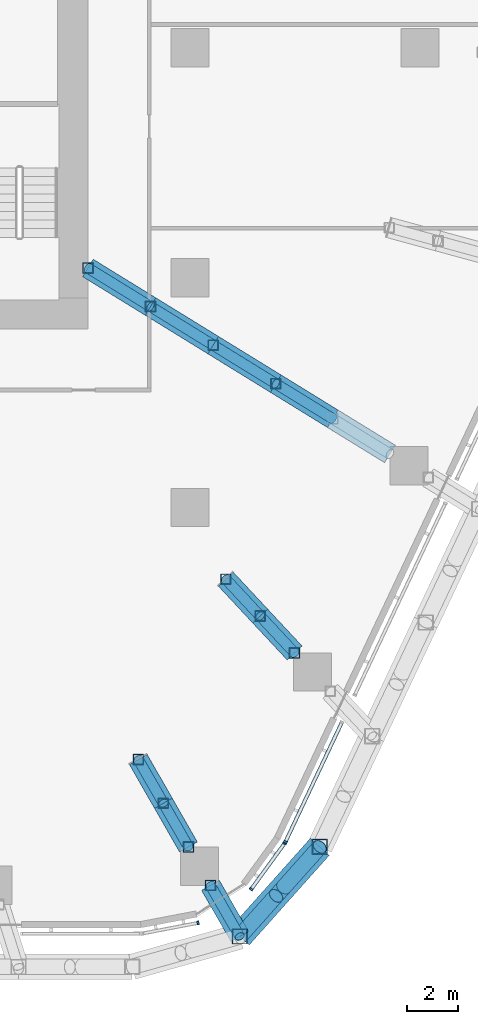
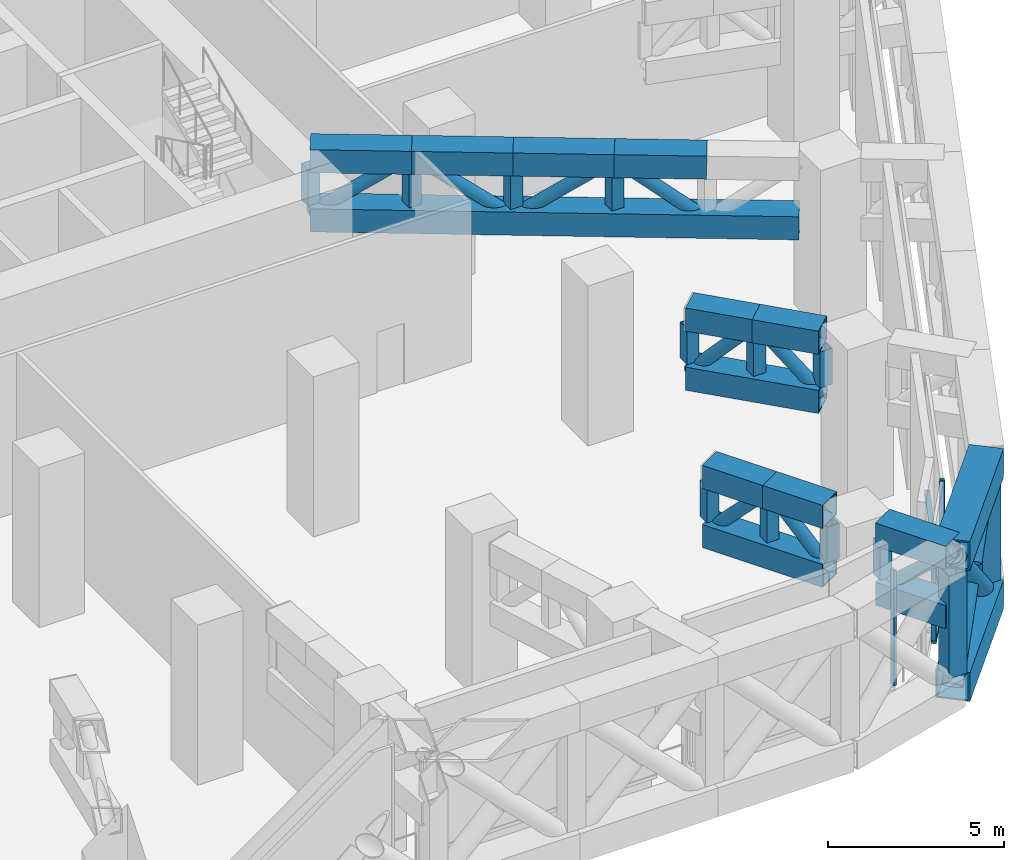
# One storey, part 6 of 38: 46 members, 2 elements without a shape of their own.
"""IFC4 building model written with IfcOpenShell, lengths in metres."""

from ifc_helpers import new_model, si_unit, direction, frame, origin, origin_2d, place, context, subcontext, project, spatial, rectangle, hollow_rectangle, hollow_circle, extrude, material, layer, layer_set, material_profile, profile_set, type_object, element, aggregate, save


model = new_model("IFC4")

# Units and contexts
model_context = context("Model", 3, precision=1e-05, world=origin(), true_north=direction((0.0, 1.0)))
body_context = subcontext(model_context, "Body", "Model", "MODEL_VIEW")
ifc_project = project(units=[si_unit("LENGTHUNIT", "METRE"), si_unit("AREAUNIT", "SQUARE_METRE"), si_unit("VOLUMEUNIT", "CUBIC_METRE"), si_unit("PLANEANGLEUNIT", "RADIAN"), si_unit("MASSUNIT", "GRAM", prefix="KILO")], contexts=[model_context])

# Site, building, storey
site_placement = place(None, origin())
site = spatial("IfcSite", under=ifc_project, at=site_placement, CompositionType="ELEMENT")
building_placement = place(site_placement, origin())
building = spatial("IfcBuilding", under=site, at=building_placement, Name="Dongbaek Canopy Tower", CompositionType="ELEMENT")
storey_placement = place(building_placement, frame((0.0, 0.0, 89.199951171875)))
storey = spatial("IfcBuildingStorey", under=building, at=storey_placement, Name="L18", CompositionType="ELEMENT", Elevation=89.199951171875)

# Members
ifc_material_1 = material(Name="Steel S355", Category="steel")
ifc_material_profile_1 = material_profile(ifc_material_1, hollow_circle(Radius=0.304931640625, WallThickness=0.01611328125, at=origin_2d()), Name="BELT BRACE CHS 610.0x16.0 Steel S355")
ifc_profile_set_1 = profile_set([ifc_material_profile_1], Name="Steel S355")
member_type_1 = type_object("IfcMemberType", Name="BELT BRACE CHS 610.0x16.0 Steel S355", PredefinedType="BRACE", material=ifc_profile_set_1)
member_1_placement = place(storey_placement, frame((23.0810546875, -31.28466796875, 0.5), z_axis=(-0.478816961431, -0.536394328132, 0.694993123846), x_axis=(0.746011275188, -0.665933312946, 0.0)))
element("IfcMember", 1, at=member_1_placement, inside=storey, type_object=member_type_1, Name="BELT:L18:25:D1:0", PredefinedType="BRACE", context=body_context, shape_type="SweptSolid", body=[
    extrude(hollow_circle(Radius=0.304931640625, WallThickness=0.01611328125, at=origin_2d()), origin(), (0.0, 0.0, 1.0), 6.546875),
])
member_2_placement = place(storey_placement, frame((19.9462890625, -34.79638671875, 0.5), z_axis=(0.478832980884, 0.536404792395, 0.694974010387), x_axis=(-0.74600666092, 0.665938482041, 0.0)))
element("IfcMember", 2, at=member_2_placement, inside=storey, type_object=member_type_1, Name="BELT:L18:25:D1:1", PredefinedType="BRACE", context=body_context, shape_type="SweptSolid", body=[
    extrude(hollow_circle(Radius=0.304931640625, WallThickness=0.01611328125, at=origin_2d()), origin(), (0.0, 0.0, 1.0), 2.968505859375),
])
member_3_placement = place(storey_placement, frame((23.0810546875, -31.28466796875, 5.050048828125), z_axis=(-0.478790712263, -0.536367331157, -0.695032042368), x_axis=(0.746012760836, -0.665931648647, 0.0)))
element("IfcMember", 3, at=member_3_placement, inside=storey, type_object=member_type_1, Name="BELT:L18:25:D1:2", PredefinedType="BRACE", context=body_context, shape_type="SweptSolid", body=[
    extrude(hollow_circle(Radius=0.304931640625, WallThickness=0.01611328125, at=origin_2d()), origin(), (0.0, 0.0, 1.0), 2.96826171875),
])
ifc_material_2 = material(Name="Steel S355", Category="steel")
ifc_material_profile_2 = material_profile(ifc_material_2, hollow_rectangle(XDim=1.0, YDim=1.0, WallThickness=0.050048828125, at=origin_2d()), Name="BELT CHORD BOX 1000x1000x50 Steel S355")
ifc_profile_set_2 = profile_set([ifc_material_profile_2], Name="Steel S355")
member_type_2 = type_object("IfcMemberType", Name="BELT CHORD BOX 1000x1000x50 Steel S355", PredefinedType="CHORD", material=ifc_profile_set_2)
for number, where, z_axis, x_axis, name in (
    (4, (23.0810546875, -31.28466796875, 0.5), (-0.665933312946, -0.746011275188, 0.0), (0.746011275188, -0.665933312946, 0.0), "BELT:L18:25:CB1"),
    (5, (23.0810546875, -31.28466796875, 5.050048828125), (-0.665933312946, -0.746011275188, 0.0), (0.746011275188, -0.665933312946, 0.0), "BELT:L18:25:CT1"),
):
    element("IfcMember", number, at=place(storey_placement, frame(where, z_axis=z_axis, x_axis=x_axis)), inside=storey, type_object=member_type_2, Name=name, PredefinedType="CHORD", context=body_context, shape_type="SweptSolid", body=[
        extrude(hollow_rectangle(XDim=1.0, YDim=1.0, WallThickness=0.050048828125, at=origin_2d()), origin(), (0.0, 0.0, 1.0), 4.707275390625),
    ])
ifc_material_3 = material(Name="Steel S355", Category="steel")
ifc_material_profile_3 = material_profile(ifc_material_3, hollow_rectangle(XDim=0.60009765625, YDim=0.60009765625, WallThickness=0.031982421875, at=origin_2d()), Name="BELT POST BOX 600x600x32 Steel S355")
ifc_profile_set_3 = profile_set([ifc_material_profile_3], Name="Steel S355")
member_type_3 = type_object("IfcMemberType", Name="BELT POST BOX 600x600x32 Steel S355", PredefinedType="POST", material=ifc_profile_set_3)
for number, where, z_axis, x_axis, name in (
    (6, (23.0810546875, -31.28466796875, 1.0), (0.0, 0.0, 1.0), (1.0, 0.0, 0.0), "BELT:L18:25:P1"),
    (7, (19.9462890625, -34.79638671875, 1.0), (0.0, 0.0, 1.0), (1.0, 0.0, 0.0), "BELT:L18:0:P0"),
):
    element("IfcMember", number, at=place(storey_placement, frame(where, z_axis=z_axis, x_axis=x_axis)), inside=storey, type_object=member_type_3, Name=name, PredefinedType="POST", context=body_context, shape_type="SweptSolid", body=[
        extrude(hollow_rectangle(XDim=0.60009765625, YDim=0.60009765625, WallThickness=0.031982421875, at=origin_2d()), origin(), (0.0, 0.0, 1.0), 3.550048828125),
    ])
ifc_material_4 = material(Name="Steel S355", Category="steel")
ifc_material_profile_4 = material_profile(ifc_material_4, hollow_circle(Radius=0.203125, WallThickness=0.0126953125, at=origin_2d()), Name="BRACE CHS 406.4x12.7 Steel S355")
ifc_profile_set_4 = profile_set([ifc_material_profile_4], Name="Steel S355")
member_type_4 = type_object("IfcMemberType", Name="BRACE CHS 406.4x12.7 Steel S355", PredefinedType="BRACE", material=ifc_profile_set_4)
for number, where, z_axis, x_axis, name in (
    (8, (15.9736328125, -27.8662109375, 3.10009765625), (0.3450373247, -0.601907020817, 0.720178577059), (0.867565276348, 0.497323326695, 0.0), "TRUSS:L18:0:D0"),
    (9, (16.955810546875, -29.57958984375, 5.150146484375), (0.3450373247, -0.601907020817, -0.720178577059), (0.867565276348, 0.497323326695, 0.0), "TRUSS:L18:0:D1"),
    (10, (19.39892578125, -20.80419921875, 3.10009765625), (0.473172875213, -0.507393643241, 0.720179922632), (0.731338856852, 0.682014278779, 0.0), "TRUSS:L18:25:D0"),
    (11, (20.745849609375, -22.24853515625, 5.150146484375), (0.473152283614, -0.507457325021, -0.720148581748), (0.731396350323, 0.68195262206, 0.0), "TRUSS:L18:25:D1"),
):
    element("IfcMember", number, at=place(storey_placement, frame(where, z_axis=z_axis, x_axis=x_axis)), inside=storey, type_object=member_type_4, Name=name, PredefinedType="BRACE", context=body_context, shape_type="SweptSolid", body=[
        extrude(hollow_circle(Radius=0.203125, WallThickness=0.0126953125, at=origin_2d()), origin(), (0.0, 0.0, 1.0), 2.8466796875),
    ])
member_4_placement = place(storey_placement, frame((18.7978515625, -32.79296875, 3.10009765625), z_axis=(0.371912141317, -0.648790610469, 0.663891634914), x_axis=(0.867565705333, 0.497322578343, 0.0)))
element("IfcMember", 12, at=member_4_placement, inside=storey, type_object=member_type_4, Name="TRUSS:L18:0x:D0", PredefinedType="BRACE", context=body_context, shape_type="SweptSolid", body=[
    extrude(hollow_circle(Radius=0.203125, WallThickness=0.0126953125, at=origin_2d()), origin(), (0.0, 0.0, 1.0), 3.087890625),
])
ifc_material_5 = material(Name="Steel S355", Category="steel")
ifc_material_profile_5 = material_profile(ifc_material_5, hollow_rectangle(XDim=0.800048828125, YDim=0.800048828125, WallThickness=0.0400390625, at=origin_2d()), Name="CHORD BOX 800x800x40 Steel S355")
ifc_profile_set_5 = profile_set([ifc_material_profile_5], Name="Steel S355")
member_type_5 = type_object("IfcMemberType", Name="CHORD BOX 800x800x40 Steel S355", PredefinedType="CHORD", material=ifc_profile_set_5)
member_5_placement = place(storey_placement, frame((15.9736328125, -27.8662109375, 3.10009765625), z_axis=(0.497323326695, -0.867565276348, 0.0), x_axis=(0.867565276348, 0.497323326695, 0.0)))
element("IfcMember", 13, at=member_5_placement, inside=storey, type_object=member_type_5, Name="TRUSS:L18:0:CB", PredefinedType="CHORD", context=body_context, shape_type="SweptSolid", body=[
    extrude(hollow_rectangle(XDim=0.800048828125, YDim=0.800048828125, WallThickness=0.0400390625, at=origin_2d()), origin(), (0.0, 0.0, 1.0), 3.949951171875),
])
for number, where, z_axis, x_axis, name in (
    (14, (15.9736328125, -27.8662109375, 5.150146484375), (0.497323326695, -0.867565276348, 0.0), (0.867565276348, 0.497323326695, 0.0), "TRUSS:L18:0:CT0"),
    (15, (16.955810546875, -29.57958984375, 5.150146484375), (0.497323326695, -0.867565276348, 0.0), (0.867565276348, 0.497323326695, 0.0), "TRUSS:L18:0:CT1"),
):
    element("IfcMember", number, at=place(storey_placement, frame(where, z_axis=z_axis, x_axis=x_axis)), inside=storey, type_object=member_type_5, Name=name, PredefinedType="CHORD", context=body_context, shape_type="SweptSolid", body=[
        extrude(hollow_rectangle(XDim=0.800048828125, YDim=0.800048828125, WallThickness=0.0400390625, at=origin_2d()), origin(), (0.0, 0.0, 1.0), 1.974853515625),
    ])
member_6_placement = place(storey_placement, frame((19.39892578125, -20.80419921875, 3.10009765625), z_axis=(0.681983449632, -0.731367605537, 0.0), x_axis=(0.731367605537, 0.681983449632, 0.0)))
element("IfcMember", 16, at=member_6_placement, inside=storey, type_object=member_type_5, Name="TRUSS:L18:25:CB", PredefinedType="CHORD", context=body_context, shape_type="SweptSolid", body=[
    extrude(hollow_rectangle(XDim=0.800048828125, YDim=0.800048828125, WallThickness=0.0400390625, at=origin_2d()), origin(), (0.0, 0.0, 1.0), 3.949951171875),
])
member_7_placement = place(storey_placement, frame((19.39892578125, -20.80419921875, 5.150146484375), z_axis=(0.682014278779, -0.731338856852, 0.0), x_axis=(0.731338856852, 0.682014278779, 0.0)))
element("IfcMember", 17, at=member_7_placement, inside=storey, type_object=member_type_5, Name="TRUSS:L18:25:CT0", PredefinedType="CHORD", context=body_context, shape_type="SweptSolid", body=[
    extrude(hollow_rectangle(XDim=0.800048828125, YDim=0.800048828125, WallThickness=0.0400390625, at=origin_2d()), origin(), (0.0, 0.0, 1.0), 1.974853515625),
])
member_8_placement = place(storey_placement, frame((20.745849609375, -22.24853515625, 5.150146484375), z_axis=(0.68195262206, -0.731396350323, 0.0), x_axis=(0.731396350323, 0.68195262206, 0.0)))
element("IfcMember", 18, at=member_8_placement, inside=storey, type_object=member_type_5, Name="TRUSS:L18:25:CT1", PredefinedType="CHORD", context=body_context, shape_type="SweptSolid", body=[
    extrude(hollow_rectangle(XDim=0.800048828125, YDim=0.800048828125, WallThickness=0.0400390625, at=origin_2d()), origin(), (0.0, 0.0, 1.0), 1.97509765625),
])
for number, where, z_axis, x_axis, name in (
    (19, (18.7978515625, -32.79296875, 3.10009765625), (0.497322578343, -0.867565705333, 0.0), (0.867565705333, 0.497322578343, 0.0), "TRUSS:L18:0x:CB"),
    (20, (18.7978515625, -32.79296875, 5.150146484375), (0.497322578343, -0.867565705333, 0.0), (0.867565705333, 0.497322578343, 0.0), "TRUSS:L18:0x:CT0"),
):
    element("IfcMember", number, at=place(storey_placement, frame(where, z_axis=z_axis, x_axis=x_axis)), inside=storey, type_object=member_type_5, Name=name, PredefinedType="CHORD", context=body_context, shape_type="SweptSolid", body=[
        extrude(hollow_rectangle(XDim=0.800048828125, YDim=0.800048828125, WallThickness=0.0400390625, at=origin_2d()), origin(), (0.0, 0.0, 1.0), 2.309326171875),
    ])

# Curtain wall, members
ifc_material_6 = material(Name="Aluminium 6063-T6 pale anodised", Category="aluminium")
ifc_layer = layer(ifc_material_6, 0.14990234375)
ifc_layer_set = layer_set([ifc_layer], Name="CW-7 louvre curtain wall")
curtain_wall_type = type_object("IfcCurtainWallType", Name="CW-7 louvre curtain wall", PredefinedType="NOTDEFINED", material=ifc_layer_set)
curtain_wall_1_placement = place(storey_placement, origin())
curtain_wall_1 = element("IfcCurtainWall", 21, at=curtain_wall_1_placement, inside=storey, type_object=curtain_wall_type, Name="CW-7 louvre wall L18 K5", PredefinedType="NOTDEFINED")
ifc_material_7 = material(Name="Aluminium 6063-T6 pale anodised", Category="aluminium")
ifc_material_profile_6 = material_profile(ifc_material_7, rectangle(XDim=0.14990234375, YDim=0.080078125, at=origin_2d()), Name="CW-7 mullion 80 x 150")
ifc_profile_set_6 = profile_set([ifc_material_profile_6], Name="Aluminium 6063-T6 pale anodised")
member_type_6 = type_object("IfcMemberType", Name="CW-7 mullion 80 x 150", PredefinedType="MULLION", material=ifc_profile_set_6)
member_9_placement = place(storey_placement, frame((18.3134765625, -34.26318359375, 0.775146484375), z_axis=(0.0, 0.0, 1.0), x_axis=(0.187582280814, -0.982248893064, 0.0)))
member_9 = element("IfcMember", 22, at=member_9_placement, type_object=member_type_6, Name="CW-7 mullion L18 K5.1.2", PredefinedType="MULLION", context=body_context, shape_type="SweptSolid", body=[
    extrude(rectangle(XDim=0.14990234375, YDim=0.080078125, at=origin_2d()), origin(), (0.0, 0.0, 1.0), 4.0),
])
member_10_placement = place(storey_placement, frame((20.39453125, -32.94384765625, 0.775146484375), z_axis=(0.0, 0.0, 1.0), x_axis=(0.808385713189, -0.588653156546, 0.0)))
member_10 = element("IfcMember", 23, at=member_10_placement, type_object=member_type_6, Name="CW-7 mullion L18 K5.2.1", PredefinedType="MULLION", context=body_context, shape_type="SweptSolid", body=[
    extrude(rectangle(XDim=0.14990234375, YDim=0.080078125, at=origin_2d()), origin(), (0.0, 0.0, 1.0), 4.0),
])
member_11_placement = place(storey_placement, frame((21.69921875, -31.152099609375, 0.775146484375), z_axis=(0.0, 0.0, 1.0), x_axis=(0.808385713189, -0.588653156546, 0.0)))
member_11 = element("IfcMember", 24, at=member_11_placement, type_object=member_type_6, Name="CW-7 mullion L18 K5.2.2", PredefinedType="MULLION", context=body_context, shape_type="SweptSolid", body=[
    extrude(rectangle(XDim=0.14990234375, YDim=0.080078125, at=origin_2d()), origin(), (0.0, 0.0, 1.0), 4.0),
])

# Curtain wall, member
curtain_wall_2_placement = place(storey_placement, origin())
curtain_wall_2 = element("IfcCurtainWall", 25, at=curtain_wall_2_placement, inside=storey, type_object=curtain_wall_type, Name="CW-7 louvre wall L18 F5", PredefinedType="NOTDEFINED")
member_12_placement = place(storey_placement, frame((21.732666015625, -31.095703125, 0.775146484375), z_axis=(0.0, 0.0, 1.0), x_axis=(0.904233210436, -0.427038992534, 0.0)))
member_12 = element("IfcMember", 26, at=member_12_placement, type_object=member_type_6, Name="CW-7 mullion L18 F5.1.1", PredefinedType="MULLION", context=body_context, shape_type="SweptSolid", body=[
    extrude(rectangle(XDim=0.14990234375, YDim=0.080078125, at=origin_2d()), origin(), (0.0, 0.0, 1.0), 4.0),
])

# Member
ifc_material_8 = material(Name="Aluminium 6063-T6 pale anodised", Category="aluminium")
ifc_material_profile_7 = material_profile(ifc_material_8, rectangle(XDim=0.14990234375, YDim=0.1201171875, at=origin_2d()), Name="CW-7 transom 120 x 150")
ifc_profile_set_7 = profile_set([ifc_material_profile_7], Name="Aluminium 6063-T6 pale anodised")
member_type_7 = type_object("IfcMemberType", Name="CW-7 transom 120 x 150", PredefinedType="USERDEFINED", material=ifc_profile_set_7)
member_13_placement = place(storey_placement, frame((20.39453125, -32.94384765625, 0.715087890625), z_axis=(0.58864316002, 0.8083929924, 0.0), x_axis=(-0.8083929924, 0.58864316002, 0.0)))
member_13 = element("IfcMember", 27, at=member_13_placement, type_object=member_type_7, Name="CW-7 transom L18 K5.2", ObjectType="TRANSOM", PredefinedType="USERDEFINED", context=body_context, shape_type="SweptSolid", body=[
    extrude(rectangle(XDim=0.14990234375, YDim=0.1201171875, at=origin_2d()), origin(), (0.0, 0.0, 1.0), 2.216552734375),
])

aggregate(curtain_wall_1, [member_9, member_13, member_10, member_11])

member_14_placement = place(storey_placement, frame((21.732666015625, -31.095703125, 0.715087890625), z_axis=(0.427034096602, 0.904235522604, 0.0), x_axis=(-0.904235522604, 0.427034096602, 0.0)))
member_14 = element("IfcMember", 28, at=member_14_placement, type_object=member_type_7, Name="CW-7 transom L18 F5.1", ObjectType="TRANSOM", PredefinedType="USERDEFINED", context=body_context, shape_type="SweptSolid", body=[
    extrude(rectangle(XDim=0.14990234375, YDim=0.1201171875, at=origin_2d()), origin(), (0.0, 0.0, 1.0), 5.187744140625),
])

aggregate(curtain_wall_2, [member_14, member_12])

# Members
ifc_material_9 = material(Name="Steel S355", Category="steel")
ifc_material_profile_8 = material_profile(ifc_material_9, hollow_circle(Radius=0.203125, WallThickness=0.0126953125, at=origin_2d()), Name="OUTRIGGER BRACE CHS 406.4x12.7 Steel S355")
ifc_profile_set_8 = profile_set([ifc_material_profile_8], Name="Steel S355")
member_type_8 = type_object("IfcMemberType", Name="OUTRIGGER BRACE CHS 406.4x12.7 Steel S355", PredefinedType="BRACE", material=ifc_profile_set_8)
member_15_placement = place(storey_placement, frame((14.0, -8.620361328125, 3.10009765625), z_axis=(0.693671785916, -0.427129973524, 0.579982274852), x_axis=(0.524324476806, 0.851518551191, 0.0)))
element("IfcMember", 29, at=member_15_placement, inside=storey, type_object=member_type_8, Name="TRUSS:L18:24:D0", PredefinedType="BRACE", context=body_context, shape_type="SweptSolid", body=[
    extrude(hollow_circle(Radius=0.203125, WallThickness=0.0126953125, at=origin_2d()), origin(), (0.0, 0.0, 1.0), 3.53466796875),
])
for number, where, z_axis, x_axis, name in (
    (30, (16.451904296875, -10.130126953125, 5.150146484375), (0.693707618292, -0.427109509311, -0.579954487335), (0.524286623877, 0.851541858057, 0.0), "TRUSS:L18:24:D1"),
    (31, (18.904052734375, -11.639892578125, 3.10009765625), (0.693687153781, -0.427165974327, 0.579937378564), (0.524348096585, 0.851504006807, 0.0), "TRUSS:L18:24:D2"),
):
    element("IfcMember", number, at=place(storey_placement, frame(where, z_axis=z_axis, x_axis=x_axis)), inside=storey, type_object=member_type_8, Name=name, PredefinedType="BRACE", context=body_context, shape_type="SweptSolid", body=[
        extrude(hollow_circle(Radius=0.203125, WallThickness=0.0126953125, at=origin_2d()), origin(), (0.0, 0.0, 1.0), 3.534912109375),
    ])
member_16_placement = place(storey_placement, frame((21.356201171875, -13.14990234375, 5.150146484375), z_axis=(0.671077902082, -0.413174028418, -0.615582384071), x_axis=(0.524284259895, 0.851543313535, 0.0)))
element("IfcMember", 32, at=member_16_placement, inside=storey, type_object=member_type_8, Name="TRUSS:L18:24:D3", PredefinedType="BRACE", context=body_context, shape_type="SweptSolid", body=[
    extrude(hollow_circle(Radius=0.203125, WallThickness=0.0126953125, at=origin_2d()), origin(), (0.0, 0.0, 1.0), 3.330322265625),
])
ifc_material_10 = material(Name="Steel S355", Category="steel")
ifc_material_profile_9 = material_profile(ifc_material_10, hollow_rectangle(XDim=0.800048828125, YDim=0.800048828125, WallThickness=0.0400390625, at=origin_2d()), Name="OUTRIGGER CHORD BOX 800x800x40 Steel S355")
ifc_profile_set_9 = profile_set([ifc_material_profile_9], Name="Steel S355")
member_type_9 = type_object("IfcMemberType", Name="OUTRIGGER CHORD BOX 800x800x40 Steel S355", PredefinedType="CHORD", material=ifc_profile_set_9)
member_17_placement = place(storey_placement, frame((14.0, -8.620361328125, 3.10009765625), z_axis=(0.851521878819, -0.5243190726, 0.0), x_axis=(0.5243190726, 0.851521878819, 0.0)))
element("IfcMember", 33, at=member_17_placement, inside=storey, type_object=member_type_9, Name="TRUSS:L18:24:CB", PredefinedType="CHORD", context=body_context, shape_type="SweptSolid", body=[
    extrude(hollow_rectangle(XDim=0.800048828125, YDim=0.800048828125, WallThickness=0.0400390625, at=origin_2d()), origin(), (0.0, 0.0, 1.0), 13.887939453125),
])
member_18_placement = place(storey_placement, frame((14.0, -8.620361328125, 5.150146484375), z_axis=(0.851518551191, -0.524324476806, 0.0), x_axis=(0.524324476806, 0.851518551191, 0.0)))
element("IfcMember", 34, at=member_18_placement, inside=storey, type_object=member_type_9, Name="TRUSS:L18:24:CT0", PredefinedType="CHORD", context=body_context, shape_type="SweptSolid", body=[
    extrude(hollow_rectangle(XDim=0.800048828125, YDim=0.800048828125, WallThickness=0.0400390625, at=origin_2d()), origin(), (0.0, 0.0, 1.0), 2.87939453125),
])
member_19_placement = place(storey_placement, frame((16.451904296875, -10.130126953125, 5.150146484375), z_axis=(0.851541858057, -0.524286623877, 0.0), x_axis=(0.524286623877, 0.851541858057, 0.0)))
element("IfcMember", 35, at=member_19_placement, inside=storey, type_object=member_type_9, Name="TRUSS:L18:24:CT1", PredefinedType="CHORD", context=body_context, shape_type="SweptSolid", body=[
    extrude(hollow_rectangle(XDim=0.800048828125, YDim=0.800048828125, WallThickness=0.0400390625, at=origin_2d()), origin(), (0.0, 0.0, 1.0), 2.879638671875),
])
member_20_placement = place(storey_placement, frame((18.904052734375, -11.639892578125, 5.150146484375), z_axis=(0.851504006807, -0.524348096585, 0.0), x_axis=(0.524348096585, 0.851504006807, 0.0)))
element("IfcMember", 36, at=member_20_placement, inside=storey, type_object=member_type_9, Name="TRUSS:L18:24:CT2", PredefinedType="CHORD", context=body_context, shape_type="SweptSolid", body=[
    extrude(hollow_rectangle(XDim=0.800048828125, YDim=0.800048828125, WallThickness=0.0400390625, at=origin_2d()), origin(), (0.0, 0.0, 1.0), 2.8798828125),
])
member_21_placement = place(storey_placement, frame((21.356201171875, -13.14990234375, 5.150146484375), z_axis=(0.851543313535, -0.524284259895, 0.0), x_axis=(0.524284259895, 0.851543313535, 0.0)))
element("IfcMember", 37, at=member_21_placement, inside=storey, type_object=member_type_9, Name="TRUSS:L18:24:CT3", PredefinedType="CHORD", context=body_context, shape_type="SweptSolid", body=[
    extrude(hollow_rectangle(XDim=0.800048828125, YDim=0.800048828125, WallThickness=0.0400390625, at=origin_2d()), origin(), (0.0, 0.0, 1.0), 2.62451171875),
])
ifc_material_11 = material(Name="Steel S355", Category="steel")
ifc_material_profile_10 = material_profile(ifc_material_11, hollow_rectangle(XDim=0.39990234375, YDim=0.39990234375, WallThickness=0.01611328125, at=origin_2d()), Name="OUTRIGGER POST SHS 400x400x16 Steel S355")
ifc_profile_set_10 = profile_set([ifc_material_profile_10], Name="Steel S355")
member_type_10 = type_object("IfcMemberType", Name="OUTRIGGER POST SHS 400x400x16 Steel S355", PredefinedType="POST", material=ifc_profile_set_10)
for number, where, z_axis, x_axis, name in (
    (38, (14.0, -8.620361328125, 3.5), (0.0, 0.0, 1.0), (1.0, 0.0, 0.0), "TRUSS:L18:24:P0"),
    (39, (16.451904296875, -10.130126953125, 3.5), (0.0, 0.0, 1.0), (1.0, 0.0, 0.0), "TRUSS:L18:24:P1"),
    (40, (18.904052734375, -11.639892578125, 3.5), (0.0, 0.0, 1.0), (1.0, 0.0, 0.0), "TRUSS:L18:24:P2"),
    (41, (21.356201171875, -13.14990234375, 3.5), (0.0, 0.0, 1.0), (1.0, 0.0, 0.0), "TRUSS:L18:24:P3"),
):
    element("IfcMember", number, at=place(storey_placement, frame(where, z_axis=z_axis, x_axis=x_axis)), inside=storey, type_object=member_type_10, Name=name, PredefinedType="POST", context=body_context, shape_type="SweptSolid", body=[
        extrude(hollow_rectangle(XDim=0.39990234375, YDim=0.39990234375, WallThickness=0.01611328125, at=origin_2d()), origin(), (0.0, 0.0, 1.0), 1.25),
    ])
ifc_material_12 = material(Name="Steel S355", Category="steel")
ifc_material_profile_11 = material_profile(ifc_material_12, hollow_rectangle(XDim=0.39990234375, YDim=0.39990234375, WallThickness=0.01611328125, at=origin_2d()), Name="POST SHS 400x400x16 Steel S355")
ifc_profile_set_11 = profile_set([ifc_material_profile_11], Name="Steel S355")
member_type_11 = type_object("IfcMemberType", Name="POST SHS 400x400x16 Steel S355", PredefinedType="POST", material=ifc_profile_set_11)
for number, where, z_axis, x_axis, name in (
    (42, (15.9736328125, -27.8662109375, 3.5), (0.0, 0.0, 1.0), (1.0, 0.0, 0.0), "TRUSS:L18:0:P0"),
    (43, (16.955810546875, -29.57958984375, 3.5), (0.0, 0.0, 1.0), (1.0, 0.0, 0.0), "TRUSS:L18:0:P1"),
    (44, (17.93798828125, -31.29296875, 3.5), (0.0, 0.0, 1.0), (1.0, 0.0, 0.0), "TRUSS:L18:0:P2"),
    (45, (19.39892578125, -20.80419921875, 3.5), (0.0, 0.0, 1.0), (1.0, 0.0, 0.0), "TRUSS:L18:25:P0"),
    (46, (20.745849609375, -22.24853515625, 3.5), (0.0, 0.0, 1.0), (1.0, 0.0, 0.0), "TRUSS:L18:25:P1"),
    (47, (22.0927734375, -23.693115234375, 3.5), (0.0, 0.0, 1.0), (1.0, 0.0, 0.0), "TRUSS:L18:25:P2"),
    (48, (18.7978515625, -32.79296875, 3.5), (0.0, 0.0, 1.0), (1.0, 0.0, 0.0), "TRUSS:L18:0x:P0"),
):
    element("IfcMember", number, at=place(storey_placement, frame(where, z_axis=z_axis, x_axis=x_axis)), inside=storey, type_object=member_type_11, Name=name, PredefinedType="POST", context=body_context, shape_type="SweptSolid", body=[
        extrude(hollow_rectangle(XDim=0.39990234375, YDim=0.39990234375, WallThickness=0.01611328125, at=origin_2d()), origin(), (0.0, 0.0, 1.0), 1.25),
    ])

save(model, "model.ifc")
